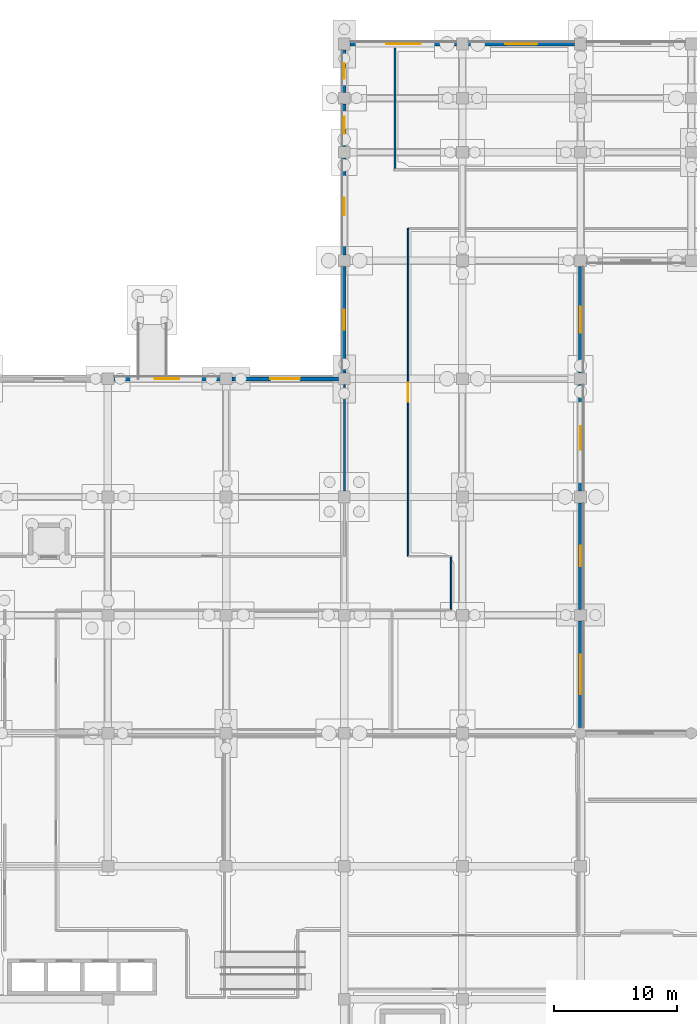
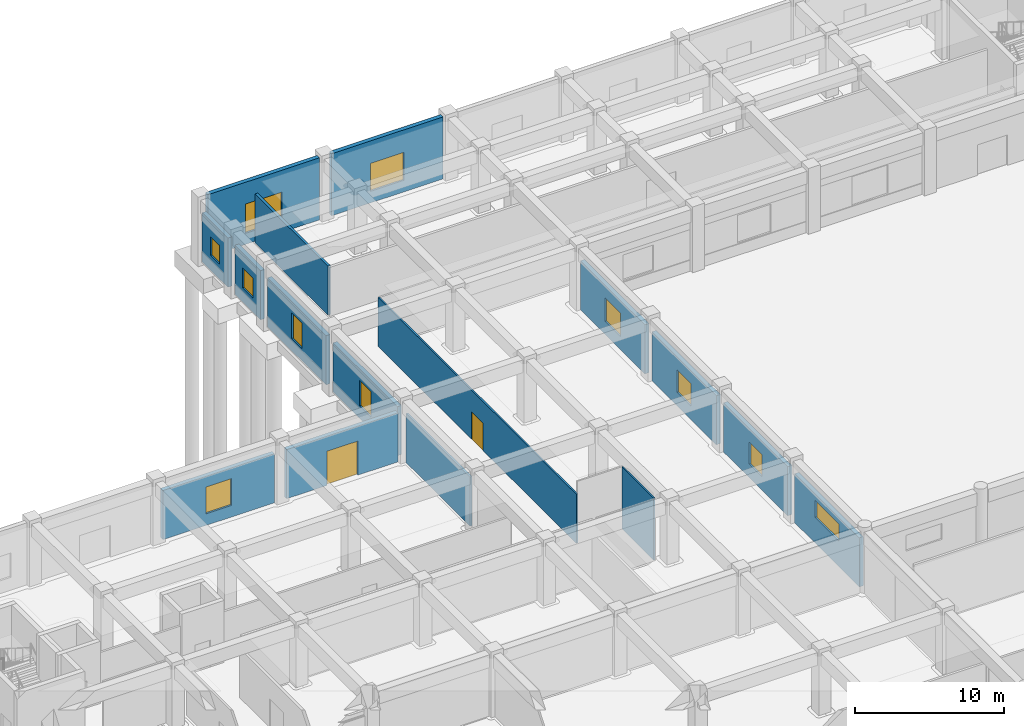
# One storey, part 35 of 74: 16 walls, 11 windows, 2 doors, 13 openings.
"""IFC4 building model written with IfcOpenShell, lengths in metres."""

from ifc_helpers import new_model, si_unit, direction, frame, frame_2d, origin, place, context, subcontext, project, spatial, rectangle, extrude, material, layer, layer_set, type_object, element, fill, save


model = new_model("IFC4")

# Units and contexts
model_context = context("Model", 3, precision=1e-05, world=origin(), true_north=direction((0.0, 1.0)))
body_context = subcontext(model_context, "Body", "Model", "MODEL_VIEW")
ifc_project = project(units=[si_unit("LENGTHUNIT", "METRE"), si_unit("AREAUNIT", "SQUARE_METRE"), si_unit("VOLUMEUNIT", "CUBIC_METRE"), si_unit("PLANEANGLEUNIT", "RADIAN"), si_unit("MASSUNIT", "GRAM", prefix="KILO")], contexts=[model_context])

# Site, building, storey
site_placement = place(None, origin())
site = spatial("IfcSite", under=ifc_project, at=site_placement, CompositionType="ELEMENT")
building_placement = place(site_placement, origin())
building = spatial("IfcBuilding", under=site, at=building_placement, Name="Cendralis Terraced Arcade", CompositionType="ELEMENT")
storey_placement = place(building_placement, origin())
storey = spatial("IfcBuildingStorey", under=building, at=storey_placement, Name="L00", CompositionType="ELEMENT", Elevation=0.0)

# Wall, opening, window
ifc_material_1 = material(Name="Precast concrete f'c 40 MPa", Category="concrete")
ifc_layer_1 = layer(ifc_material_1, 0.320068359375, Name="WL-EXT-GRC-320")
ifc_layer_set_1 = layer_set([ifc_layer_1], Name="Precast concrete f'c 40 MPa")
wall_type_1 = type_object("IfcWallType", Name="WL-EXT-GRC-320", PredefinedType="SOLIDWALL", material=ifc_layer_set_1)
wall_1_placement = place(storey_placement, frame((29.27294921875, 88.800048828125, 0.0), z_axis=(0.0, 0.0, 1.0), x_axis=(1.0, 0.0, 0.0)))
wall_1 = element("IfcWall", 1, at=wall_1_placement, inside=storey, type_object=wall_type_1, Name="Exterior Architectural Wall EW-L00-0029", PredefinedType="SOLIDWALL", context=body_context, shape_type="SweptSolid", body=[
    extrude(rectangle(XDim=8.654052734375, YDim=0.320068359375, at=frame_2d((4.3271484375, 0.0))), origin(), (0.0, 0.0, 1.0), 4.030029296875),
])
opening_1_placement = place(wall_1_placement, frame((3.326904296875, 0.0, 0.949951171875)))
opening_1 = element("IfcOpeningElement", 2, at=opening_1_placement, cuts=wall_1, Name="Opening W-03", PredefinedType="OPENING", context=body_context, shape_type="SweptSolid", body=[
    extrude(rectangle(XDim=2.0, YDim=2.199951171875, at=frame_2d((1.0, 1.10009765625))), frame((0.0, 0.171875, 0.0), z_axis=(0.0, -1.0, 0.0), x_axis=(1.0, 0.0, 0.0)), (0.0, 0.0, 1.0), 0.343994140625),
])
ifc_material_2 = material(Name="Tempered solar control laminated glass", Category="glass")
window_type_1 = type_object("IfcWindowType", Name="WN-F1-2000x2200", PartitioningType="SINGLE_PANEL", PredefinedType="WINDOW", material=ifc_material_2)
window_1_placement = place(opening_1_placement, origin())
window_1 = element("IfcWindow", 3, at=window_1_placement, inside=storey, type_object=window_type_1, Name="Exterior Solar-Control Window WN-L00-0013", OverallHeight=2.199951171875, OverallWidth=2.0, PartitioningType="SINGLE_PANEL", PredefinedType="WINDOW", context=body_context, shape_type="SweptSolid", body=[
    extrude(rectangle(XDim=2.0, YDim=2.199951171875, at=frame_2d((1.0, 1.10009765625))), frame((0.0, 0.030029296875, 0.0), z_axis=(0.0, -1.0, 0.0), x_axis=(1.0, 0.0, 0.0)), (0.0, 0.0, 1.0), 0.06005859375),
])
fill(opening_1, window_1)

# Wall, opening, door
wall_2_placement = place(storey_placement, frame((38.875, 88.800048828125, 0.0), z_axis=(0.0, 0.0, 1.0), x_axis=(1.0, 0.0, 0.0)))
wall_2 = element("IfcWall", 4, at=wall_2_placement, inside=storey, type_object=wall_type_1, Name="Exterior Architectural Wall EW-L00-0030", PredefinedType="SOLIDWALL", context=body_context, shape_type="SweptSolid", body=[
    extrude(rectangle(XDim=8.64990234375, YDim=0.320068359375, at=frame_2d((4.324951171875, 0.0))), origin(), (0.0, 0.0, 1.0), 4.030029296875),
])
opening_2_placement = place(wall_2_placement, frame((3.125, 0.0, 0.0)))
opening_2 = element("IfcOpeningElement", 5, at=opening_2_placement, cuts=wall_2, Name="Opening EX-18", PredefinedType="OPENING", context=body_context, shape_type="SweptSolid", body=[
    extrude(rectangle(XDim=2.39990234375, YDim=2.800048828125, at=frame_2d((1.199951171875, 1.39990234375))), frame((0.0, 0.171875, 0.0), z_axis=(0.0, -1.0, 0.0), x_axis=(1.0, 0.0, 0.0)), (0.0, 0.0, 1.0), 0.343994140625),
])
ifc_material_3 = material(Name="Powder-coated thermally broken aluminium and glass", Category="aluminium")
door_type_1 = type_object("IfcDoorType", Name="ED-PORTAL-2400x2800", OperationType="DOUBLE_DOOR_SINGLE_SWING", PredefinedType="DOOR", material=ifc_material_3)
door_1_placement = place(opening_2_placement, origin())
door_1 = element("IfcDoor", 6, at=door_1_placement, inside=storey, type_object=door_type_1, Name="Northwest Forecourt East Entrance EX-18", OperationType="DOUBLE_DOOR_SINGLE_SWING", OverallHeight=2.800048828125, OverallWidth=2.39990234375, PredefinedType="DOOR", context=body_context, shape_type="SweptSolid", body=[
    extrude(rectangle(XDim=2.39990234375, YDim=2.800048828125, at=frame_2d((1.199951171875, 1.39990234375))), frame((0.0, 0.02490234375, 0.0), z_axis=(0.0, -1.0, 0.0), x_axis=(1.0, 0.0, 0.0)), (0.0, 0.0, 1.0), 0.050048828125),
])
fill(opening_2, door_1)

# Wall, opening, window
wall_3_placement = place(storey_placement, frame((48.0, 89.27294921875, 0.0), z_axis=(0.0, 0.0, 1.0), x_axis=(0.0, 1.0, 0.0)))
wall_3 = element("IfcWall", 7, at=wall_3_placement, inside=storey, type_object=wall_type_1, Name="Exterior Architectural Wall EW-L00-0031", PredefinedType="SOLIDWALL", context=body_context, shape_type="SweptSolid", body=[
    extrude(rectangle(XDim=8.654052734375, YDim=0.320068359375, at=frame_2d((4.3271484375, 0.0))), origin(), (0.0, 0.0, 1.0), 4.030029296875),
])
opening_3_placement = place(wall_3_placement, frame((3.527099609375, 0.0, 1.0)))
opening_3 = element("IfcOpeningElement", 8, at=opening_3_placement, cuts=wall_3, Name="Opening W-05", PredefinedType="OPENING", context=body_context, shape_type="SweptSolid", body=[
    extrude(rectangle(XDim=1.60009765625, YDim=2.10009765625, at=frame_2d((0.800048828125, 1.050048828125))), frame((0.0, 0.171875, 0.0), z_axis=(0.0, -1.0, 0.0), x_axis=(1.0, 0.0, 0.0)), (0.0, 0.0, 1.0), 0.343994140625),
])
window_type_2 = type_object("IfcWindowType", Name="WN-F1-1600x2100", PartitioningType="SINGLE_PANEL", PredefinedType="WINDOW", material=ifc_material_2)
window_2_placement = place(opening_3_placement, origin())
window_2 = element("IfcWindow", 9, at=window_2_placement, inside=storey, type_object=window_type_2, Name="Exterior Solar-Control Window WN-L00-0014", OverallHeight=2.10009765625, OverallWidth=1.60009765625, PartitioningType="SINGLE_PANEL", PredefinedType="WINDOW", context=body_context, shape_type="SweptSolid", body=[
    extrude(rectangle(XDim=1.60009765625, YDim=2.10009765625, at=frame_2d((0.800048828125, 1.050048828125))), frame((0.0, 0.030029296875, 0.0), z_axis=(0.0, -1.0, 0.0), x_axis=(1.0, 0.0, 0.0)), (0.0, 0.0, 1.0), 0.06005859375),
])
fill(opening_3, window_2)

wall_4_placement = place(storey_placement, frame((48.0, 98.873046875, 0.0), z_axis=(0.0, 0.0, 1.0), x_axis=(0.0, 1.0, 0.0)))
wall_4 = element("IfcWall", 10, at=wall_4_placement, inside=storey, type_object=wall_type_1, Name="Exterior Architectural Wall EW-L00-0032", PredefinedType="SOLIDWALL", context=body_context, shape_type="SweptSolid", body=[
    extrude(rectangle(XDim=7.85400390625, YDim=0.320068359375, at=frame_2d((3.927001953125, 0.0))), origin(), (0.0, 0.0, 1.0), 4.030029296875),
])
opening_4_placement = place(wall_4_placement, frame((3.22705078125, 0.0, 1.0)))
opening_4 = element("IfcOpeningElement", 11, at=opening_4_placement, cuts=wall_4, Name="Opening W-06", PredefinedType="OPENING", context=body_context, shape_type="SweptSolid", body=[
    extrude(rectangle(XDim=1.39990234375, YDim=2.10009765625, at=frame_2d((0.699951171875, 1.050048828125))), frame((0.0, 0.171875, 0.0), z_axis=(0.0, -1.0, 0.0), x_axis=(1.0, 0.0, 0.0)), (0.0, 0.0, 1.0), 0.343994140625),
])
window_type_3 = type_object("IfcWindowType", Name="WN-F1-1400x2100", PartitioningType="SINGLE_PANEL", PredefinedType="WINDOW", material=ifc_material_2)
window_3_placement = place(opening_4_placement, origin())
window_3 = element("IfcWindow", 12, at=window_3_placement, inside=storey, type_object=window_type_3, Name="Exterior Solar-Control Window WN-L00-0015", OverallHeight=2.10009765625, OverallWidth=1.39990234375, PartitioningType="SINGLE_PANEL", PredefinedType="WINDOW", context=body_context, shape_type="SweptSolid", body=[
    extrude(rectangle(XDim=1.39990234375, YDim=2.10009765625, at=frame_2d((0.699951171875, 1.050048828125))), frame((0.0, 0.030029296875, 0.0), z_axis=(0.0, -1.0, 0.0), x_axis=(1.0, 0.0, 0.0)), (0.0, 0.0, 1.0), 0.06005859375),
])
fill(opening_4, window_3)

wall_5_placement = place(storey_placement, frame((48.0, 107.673095703125, 0.0), z_axis=(0.0, 0.0, 1.0), x_axis=(0.0, 1.0, 0.0)))
wall_5 = element("IfcWall", 13, at=wall_5_placement, inside=storey, type_object=wall_type_1, Name="Exterior Architectural Wall EW-L00-0033", PredefinedType="SOLIDWALL", context=body_context, shape_type="SweptSolid", body=[
    extrude(rectangle(XDim=3.453857421875, YDim=0.320068359375, at=frame_2d((1.72705078125, 0.0))), origin(), (0.0, 0.0, 1.0), 4.030029296875),
])
opening_5_placement = place(wall_5_placement, frame((1.027099609375, 0.0, 1.14990234375)))
opening_5 = element("IfcOpeningElement", 14, at=opening_5_placement, cuts=wall_5, Name="Opening W-29", PredefinedType="OPENING", context=body_context, shape_type="SweptSolid", body=[
    extrude(rectangle(XDim=1.39990234375, YDim=1.64990234375, at=frame_2d((0.699951171875, 0.824951171875))), frame((0.0, 0.171875, 0.0), z_axis=(0.0, -1.0, 0.0), x_axis=(1.0, 0.0, 0.0)), (0.0, 0.0, 1.0), 0.343994140625),
])
window_type_4 = type_object("IfcWindowType", Name="WN-F3-1400x1650", PartitioningType="SINGLE_PANEL", PredefinedType="WINDOW", material=ifc_material_2)
window_4_placement = place(opening_5_placement, origin())
window_4 = element("IfcWindow", 15, at=window_4_placement, inside=storey, type_object=window_type_4, Name="Exterior Solar-Control Window WN-L00-0016", OverallHeight=1.64990234375, OverallWidth=1.39990234375, PartitioningType="SINGLE_PANEL", PredefinedType="WINDOW", context=body_context, shape_type="SweptSolid", body=[
    extrude(rectangle(XDim=1.39990234375, YDim=1.64990234375, at=frame_2d((0.699951171875, 0.824951171875))), frame((0.0, 0.030029296875, 0.0), z_axis=(0.0, -1.0, 0.0), x_axis=(1.0, 0.0, 0.0)), (0.0, 0.0, 1.0), 0.06005859375),
])
fill(opening_5, window_4)

wall_6_placement = place(storey_placement, frame((48.0, 112.072998046875, 0.0), z_axis=(0.0, 0.0, 1.0), x_axis=(0.0, 1.0, 0.0)))
wall_6 = element("IfcWall", 16, at=wall_6_placement, inside=storey, type_object=wall_type_1, Name="Exterior Architectural Wall EW-L00-0034", PredefinedType="SOLIDWALL", context=body_context, shape_type="SweptSolid", body=[
    extrude(rectangle(XDim=3.4541015625, YDim=0.320068359375, at=frame_2d((1.72705078125, 0.0))), origin(), (0.0, 0.0, 1.0), 4.030029296875),
])
opening_6_placement = place(wall_6_placement, frame((1.10205078125, 0.0, 1.199951171875)))
opening_6 = element("IfcOpeningElement", 17, at=opening_6_placement, cuts=wall_6, Name="Opening W-30", PredefinedType="OPENING", context=body_context, shape_type="SweptSolid", body=[
    extrude(rectangle(XDim=1.25, YDim=1.550048828125, at=frame_2d((0.625, 0.77490234375))), frame((0.0, 0.171875, 0.0), z_axis=(0.0, -1.0, 0.0), x_axis=(1.0, 0.0, 0.0)), (0.0, 0.0, 1.0), 0.343994140625),
])
window_type_5 = type_object("IfcWindowType", Name="WN-F3-1250x1550", PartitioningType="SINGLE_PANEL", PredefinedType="WINDOW", material=ifc_material_2)
window_5_placement = place(opening_6_placement, origin())
window_5 = element("IfcWindow", 18, at=window_5_placement, inside=storey, type_object=window_type_5, Name="Exterior Solar-Control Window WN-L00-0017", OverallHeight=1.550048828125, OverallWidth=1.25, PartitioningType="SINGLE_PANEL", PredefinedType="WINDOW", context=body_context, shape_type="SweptSolid", body=[
    extrude(rectangle(XDim=1.25, YDim=1.550048828125, at=frame_2d((0.625, 0.77490234375))), frame((0.0, 0.030029296875, 0.0), z_axis=(0.0, -1.0, 0.0), x_axis=(1.0, 0.0, 0.0)), (0.0, 0.0, 1.0), 0.06005859375),
])
fill(opening_6, window_5)

wall_7_placement = place(storey_placement, frame((48.472900390625, 116.0, 0.0), z_axis=(0.0, 0.0, 1.0), x_axis=(1.0, 0.0, 0.0)))
wall_7 = element("IfcWall", 19, at=wall_7_placement, inside=storey, type_object=wall_type_1, Name="Exterior Architectural Wall EW-L00-0035", PredefinedType="SOLIDWALL", context=body_context, shape_type="SweptSolid", body=[
    extrude(rectangle(XDim=8.654052734375, YDim=0.320068359375, at=frame_2d((4.3271484375, 0.0))), origin(), (0.0, 0.0, 1.0), 5.090087890625),
])
opening_7_placement = place(wall_7_placement, frame((2.927001953125, 0.0, 0.89990234375)))
opening_7 = element("IfcOpeningElement", 20, at=opening_7_placement, cuts=wall_7, Name="Opening W-09", PredefinedType="OPENING", context=body_context, shape_type="SweptSolid", body=[
    extrude(rectangle(XDim=2.800048828125, YDim=2.39990234375, at=frame_2d((1.39990234375, 1.199951171875))), frame((0.0, 0.171875, 0.0), z_axis=(0.0, -1.0, 0.0), x_axis=(1.0, 0.0, 0.0)), (0.0, 0.0, 1.0), 0.343994140625),
])
window_type_6 = type_object("IfcWindowType", Name="WN-F2-2800x2400", PartitioningType="SINGLE_PANEL", PredefinedType="WINDOW", material=ifc_material_2)
window_6_placement = place(opening_7_placement, origin())
window_6 = element("IfcWindow", 21, at=window_6_placement, inside=storey, type_object=window_type_6, Name="Exterior Solar-Control Window WN-L00-0018", OverallHeight=2.39990234375, OverallWidth=2.800048828125, PartitioningType="SINGLE_PANEL", PredefinedType="WINDOW", context=body_context, shape_type="SweptSolid", body=[
    extrude(rectangle(XDim=2.800048828125, YDim=2.39990234375, at=frame_2d((1.39990234375, 1.199951171875))), frame((0.0, 0.030029296875, 0.0), z_axis=(0.0, -1.0, 0.0), x_axis=(1.0, 0.0, 0.0)), (0.0, 0.0, 1.0), 0.06005859375),
])
fill(opening_7, window_6)

wall_8_placement = place(storey_placement, frame((58.072998046875, 116.0, 0.0), z_axis=(0.0, 0.0, 1.0), x_axis=(1.0, 0.0, 0.0)))
wall_8 = element("IfcWall", 22, at=wall_8_placement, inside=storey, type_object=wall_type_1, Name="Exterior Architectural Wall EW-L00-0036", PredefinedType="SOLIDWALL", context=body_context, shape_type="SweptSolid", body=[
    extrude(rectangle(XDim=8.654052734375, YDim=0.320068359375, at=frame_2d((4.3271484375, 0.0))), origin(), (0.0, 0.0, 1.0), 5.090087890625),
])
opening_8_placement = place(wall_8_placement, frame((3.027099609375, 0.0, 0.949951171875)))
opening_8 = element("IfcOpeningElement", 23, at=opening_8_placement, cuts=wall_8, Name="Opening W-10", PredefinedType="OPENING", context=body_context, shape_type="SweptSolid", body=[
    extrude(rectangle(XDim=2.60009765625, YDim=2.300048828125, at=frame_2d((1.300048828125, 1.14990234375))), frame((0.0, 0.171875, 0.0), z_axis=(0.0, -1.0, 0.0), x_axis=(1.0, 0.0, 0.0)), (0.0, 0.0, 1.0), 0.343994140625),
])
window_type_7 = type_object("IfcWindowType", Name="WN-F2-2600x2300", PartitioningType="SINGLE_PANEL", PredefinedType="WINDOW", material=ifc_material_2)
window_7_placement = place(opening_8_placement, origin())
window_7 = element("IfcWindow", 24, at=window_7_placement, inside=storey, type_object=window_type_7, Name="Exterior Solar-Control Window WN-L00-0019", OverallHeight=2.300048828125, OverallWidth=2.60009765625, PartitioningType="SINGLE_PANEL", PredefinedType="WINDOW", context=body_context, shape_type="SweptSolid", body=[
    extrude(rectangle(XDim=2.60009765625, YDim=2.300048828125, at=frame_2d((1.300048828125, 1.14990234375))), frame((0.0, 0.030029296875, 0.0), z_axis=(0.0, -1.0, 0.0), x_axis=(1.0, 0.0, 0.0)), (0.0, 0.0, 1.0), 0.06005859375),
])
fill(opening_8, window_7)

wall_9_placement = place(storey_placement, frame((67.199951171875, 97.927001953125, 0.0), z_axis=(0.0, 0.0, 1.0), x_axis=(0.0, -1.0, 0.0)))
wall_9 = element("IfcWall", 25, at=wall_9_placement, inside=storey, type_object=wall_type_1, Name="Exterior Architectural Wall EW-L00-0068", PredefinedType="SOLIDWALL", context=body_context, shape_type="SweptSolid", body=[
    extrude(rectangle(XDim=8.654052734375, YDim=0.320068359375, at=frame_2d((4.3271484375, 0.0))), origin(), (0.0, 0.0, 1.0), 4.030029296875),
])
opening_9_placement = place(wall_9_placement, frame((3.277099609375, 0.0, 1.050048828125)))
opening_9 = element("IfcOpeningElement", 26, at=opening_9_placement, cuts=wall_9, Name="Opening W-12", PredefinedType="OPENING", context=body_context, shape_type="SweptSolid", body=[
    extrude(rectangle(XDim=2.10009765625, YDim=1.949951171875, at=frame_2d((1.050048828125, 0.97509765625))), frame((0.0, 0.171875, 0.0), z_axis=(0.0, -1.0, 0.0), x_axis=(1.0, 0.0, 0.0)), (0.0, 0.0, 1.0), 0.343994140625),
])
window_type_8 = type_object("IfcWindowType", Name="WN-F2-2100x1950", PartitioningType="SINGLE_PANEL", PredefinedType="WINDOW", material=ifc_material_2)
window_8_placement = place(opening_9_placement, origin())
window_8 = element("IfcWindow", 27, at=window_8_placement, inside=storey, type_object=window_type_8, Name="Exterior Solar-Control Window WN-L00-0028", OverallHeight=1.949951171875, OverallWidth=2.10009765625, PartitioningType="SINGLE_PANEL", PredefinedType="WINDOW", context=body_context, shape_type="SweptSolid", body=[
    extrude(rectangle(XDim=2.10009765625, YDim=1.949951171875, at=frame_2d((1.050048828125, 0.97509765625))), frame((0.0, 0.030029296875, 0.0), z_axis=(0.0, -1.0, 0.0), x_axis=(1.0, 0.0, 0.0)), (0.0, 0.0, 1.0), 0.06005859375),
])
fill(opening_9, window_8)

wall_10_placement = place(storey_placement, frame((67.199951171875, 88.326904296875, 0.0), z_axis=(0.0, 0.0, 1.0), x_axis=(0.0, -1.0, 0.0)))
wall_10 = element("IfcWall", 28, at=wall_10_placement, inside=storey, type_object=wall_type_1, Name="Exterior Architectural Wall EW-L00-0069", PredefinedType="SOLIDWALL", context=body_context, shape_type="SweptSolid", body=[
    extrude(rectangle(XDim=8.65380859375, YDim=0.320068359375, at=frame_2d((4.326904296875, 0.0))), origin(), (0.0, 0.0, 1.0), 4.030029296875),
])
opening_10_placement = place(wall_10_placement, frame((3.376953125, 0.0, 1.10009765625)))
opening_10 = element("IfcOpeningElement", 29, at=opening_10_placement, cuts=wall_10, Name="Opening W-13", PredefinedType="OPENING", context=body_context, shape_type="SweptSolid", body=[
    extrude(rectangle(XDim=1.89990234375, YDim=1.85009765625, at=frame_2d((0.949951171875, 0.925048828125))), frame((0.0, 0.171875, 0.0), z_axis=(0.0, -1.0, 0.0), x_axis=(1.0, 0.0, 0.0)), (0.0, 0.0, 1.0), 0.343994140625),
])
window_type_9 = type_object("IfcWindowType", Name="WN-F2-1900x1850", PartitioningType="SINGLE_PANEL", PredefinedType="WINDOW", material=ifc_material_2)
window_9_placement = place(opening_10_placement, origin())
window_9 = element("IfcWindow", 30, at=window_9_placement, inside=storey, type_object=window_type_9, Name="Exterior Solar-Control Window WN-L00-0029", OverallHeight=1.85009765625, OverallWidth=1.89990234375, PartitioningType="SINGLE_PANEL", PredefinedType="WINDOW", context=body_context, shape_type="SweptSolid", body=[
    extrude(rectangle(XDim=1.89990234375, YDim=1.85009765625, at=frame_2d((0.949951171875, 0.925048828125))), frame((0.0, 0.030029296875, 0.0), z_axis=(0.0, -1.0, 0.0), x_axis=(1.0, 0.0, 0.0)), (0.0, 0.0, 1.0), 0.06005859375),
])
fill(opening_10, window_9)

wall_11_placement = place(storey_placement, frame((67.199951171875, 78.72705078125, 0.0), z_axis=(0.0, 0.0, 1.0), x_axis=(0.0, -1.0, 0.0)))
wall_11 = element("IfcWall", 31, at=wall_11_placement, inside=storey, type_object=wall_type_1, Name="Exterior Architectural Wall EW-L00-0070", PredefinedType="SOLIDWALL", context=body_context, shape_type="SweptSolid", body=[
    extrude(rectangle(XDim=8.654052734375, YDim=0.320068359375, at=frame_2d((4.3271484375, 0.0))), origin(), (0.0, 0.0, 1.0), 4.030029296875),
])
opening_11_placement = place(wall_11_placement, frame((3.47705078125, 0.0, 1.10009765625)))
opening_11 = element("IfcOpeningElement", 32, at=opening_11_placement, cuts=wall_11, Name="Opening W-14", PredefinedType="OPENING", context=body_context, shape_type="SweptSolid", body=[
    extrude(rectangle(XDim=1.699951171875, YDim=1.800048828125, at=frame_2d((0.85009765625, 0.89990234375))), frame((0.0, 0.171875, 0.0), z_axis=(0.0, -1.0, 0.0), x_axis=(1.0, 0.0, 0.0)), (0.0, 0.0, 1.0), 0.343994140625),
])
window_type_10 = type_object("IfcWindowType", Name="WN-F2-1700x1800", PartitioningType="SINGLE_PANEL", PredefinedType="WINDOW", material=ifc_material_2)
window_10_placement = place(opening_11_placement, origin())
window_10 = element("IfcWindow", 33, at=window_10_placement, inside=storey, type_object=window_type_10, Name="Exterior Solar-Control Window WN-L00-0030", OverallHeight=1.800048828125, OverallWidth=1.699951171875, PartitioningType="SINGLE_PANEL", PredefinedType="WINDOW", context=body_context, shape_type="SweptSolid", body=[
    extrude(rectangle(XDim=1.699951171875, YDim=1.800048828125, at=frame_2d((0.85009765625, 0.89990234375))), frame((0.0, 0.030029296875, 0.0), z_axis=(0.0, -1.0, 0.0), x_axis=(1.0, 0.0, 0.0)), (0.0, 0.0, 1.0), 0.06005859375),
])
fill(opening_11, window_10)

wall_12_placement = place(storey_placement, frame((67.199951171875, 69.126953125, 0.0), z_axis=(0.0, 0.0, 1.0), x_axis=(0.0, -1.0, 0.0)))
wall_12 = element("IfcWall", 34, at=wall_12_placement, inside=storey, type_object=wall_type_1, Name="Exterior Architectural Wall EW-L00-0071", PredefinedType="SOLIDWALL", context=body_context, shape_type="SweptSolid", body=[
    extrude(rectangle(XDim=8.678955078125, YDim=0.320068359375, at=frame_2d((4.33935546875, 0.0))), origin(), (0.0, 0.0, 1.0), 4.030029296875),
])
opening_12_placement = place(wall_12_placement, frame((2.739501953125, 0.0, 2.10009765625)))
opening_12 = element("IfcOpeningElement", 35, at=opening_12_placement, cuts=wall_12, Name="Opening W-15", PredefinedType="OPENING", context=body_context, shape_type="SweptSolid", body=[
    extrude(rectangle(XDim=3.199951171875, YDim=1.39990234375, at=frame_2d((1.60009765625, 0.699951171875))), frame((0.0, 0.171875, 0.0), z_axis=(0.0, -1.0, 0.0), x_axis=(1.0, 0.0, 0.0)), (0.0, 0.0, 1.0), 0.343994140625),
])
window_type_11 = type_object("IfcWindowType", Name="WN-CL-3200x1400", PartitioningType="SINGLE_PANEL", PredefinedType="WINDOW", material=ifc_material_2)
window_11_placement = place(opening_12_placement, origin())
window_11 = element("IfcWindow", 36, at=window_11_placement, inside=storey, type_object=window_type_11, Name="Exterior Solar-Control Window WN-L00-0031", OverallHeight=1.39990234375, OverallWidth=3.199951171875, PartitioningType="SINGLE_PANEL", PredefinedType="WINDOW", context=body_context, shape_type="SweptSolid", body=[
    extrude(rectangle(XDim=3.199951171875, YDim=1.39990234375, at=frame_2d((1.60009765625, 0.699951171875))), frame((0.0, 0.030029296875, 0.0), z_axis=(0.0, -1.0, 0.0), x_axis=(1.0, 0.0, 0.0)), (0.0, 0.0, 1.0), 0.06005859375),
])
fill(opening_12, window_11)

# Wall
ifc_material_4 = material(Name="Gypsum plasterboard acoustic partition", Category="concrete")
ifc_layer_2 = layer(ifc_material_4, 0.10791015625, Name="WL-PART-108")
ifc_layer_set_2 = layer_set([ifc_layer_2], Name="Gypsum plasterboard acoustic partition")
wall_type_2 = type_object("IfcWallType", Name="WL-PART-108", PredefinedType="PARTITIONING", material=ifc_layer_set_2)
wall_13_placement = place(storey_placement, frame((56.679931640625, 70.077392578125, 0.0), z_axis=(0.0, 0.0, 1.0), x_axis=(0.0, 1.0, 0.0)))
element("IfcWall", 37, at=wall_13_placement, inside=storey, type_object=wall_type_2, Name="Interior Partition Wall IW-L00-0268", PredefinedType="PARTITIONING", context=body_context, shape_type="SweptSolid", body=[
    extrude(rectangle(XDim=4.24658203125, YDim=0.10791015625, at=frame_2d((2.123291015625, 0.0))), origin(), (0.0, 0.0, 1.0), 5.090087890625),
])

# Wall, opening, door
ifc_layer_3 = layer(ifc_material_4, 0.1220703125, Name="WL-PART-122")
ifc_layer_set_3 = layer_set([ifc_layer_3], Name="Gypsum plasterboard acoustic partition")
wall_type_3 = type_object("IfcWallType", Name="WL-PART-122", PredefinedType="PARTITIONING", material=ifc_layer_set_3)
wall_14_placement = place(storey_placement, frame((53.179931640625, 74.3798828125, 0.0), z_axis=(0.0, 0.0, 1.0), x_axis=(0.0, 1.0, 0.0)))
wall_14 = element("IfcWall", 38, at=wall_14_placement, inside=storey, type_object=wall_type_3, Name="Interior Partition Wall IW-L00-0264", PredefinedType="PARTITIONING", context=body_context, shape_type="SweptSolid", body=[
    extrude(rectangle(XDim=26.64013671875, YDim=0.1220703125, at=frame_2d((13.320068359375, 0.0))), origin(), (0.0, 0.0, 1.0), 4.030029296875),
])
opening_13_placement = place(wall_14_placement, frame((12.544921875, 0.0, 0.0)))
opening_13 = element("IfcOpeningElement", 39, at=opening_13_placement, cuts=wall_14, Name="Opening D-L00-077", PredefinedType="OPENING", context=body_context, shape_type="SweptSolid", body=[
    extrude(rectangle(XDim=1.550048828125, YDim=2.25, at=frame_2d((0.77490234375, 1.125))), frame((0.0, 0.072998046875, 0.0), z_axis=(0.0, -1.0, 0.0), x_axis=(1.0, 0.0, 0.0)), (0.0, 0.0, 1.0), 0.14599609375),
])
ifc_material_5 = material(Name="Solid core Andean oak veneer door leaf", Category="aluminium")
door_type_2 = type_object("IfcDoorType", Name="ID-DEP-1550x2250", OperationType="DOUBLE_DOOR_SINGLE_SWING", PredefinedType="DOOR", material=ifc_material_5)
door_2_placement = place(opening_13_placement, origin())
door_2 = element("IfcDoor", 40, at=door_2_placement, inside=storey, type_object=door_type_2, Name="Bookshop and Stationery Salon - Court Gallery Door D-L00-077", OperationType="DOUBLE_DOOR_SINGLE_SWING", OverallHeight=2.25, OverallWidth=1.550048828125, PredefinedType="DOOR", context=body_context, shape_type="SweptSolid", body=[
    extrude(rectangle(XDim=1.550048828125, YDim=2.25, at=frame_2d((0.77490234375, 1.125))), frame((0.0, 0.02490234375, 0.0), z_axis=(0.0, -1.0, 0.0), x_axis=(1.0, 0.0, 0.0)), (0.0, 0.0, 1.0), 0.050048828125),
])
fill(opening_13, door_2)

# Walls
ifc_layer_4 = layer(ifc_material_4, 0.154052734375, Name="WL-PART-154")
ifc_layer_set_4 = layer_set([ifc_layer_4], Name="Gypsum plasterboard acoustic partition")
wall_type_4 = type_object("IfcWallType", Name="WL-PART-154", PredefinedType="PARTITIONING", material=ifc_layer_set_4)
wall_15_placement = place(storey_placement, frame((48.01953125, 88.304931640625, 0.0), z_axis=(0.0, 0.0, 1.0), x_axis=(2.8355924e-05, -0.999999999598, 0.0)))
element("IfcWall", 41, at=wall_15_placement, inside=storey, type_object=wall_type_4, Name="Interior Partition Wall IW-L00-0258", PredefinedType="PARTITIONING", context=body_context, shape_type="SweptSolid", body=[
    extrude(rectangle(XDim=8.60986328125, YDim=0.154052734375, at=frame_2d((4.304931640625, 0.0))), origin(), (0.0, 0.0, 1.0), 4.030029296875),
])
ifc_layer_5 = layer(ifc_material_4, 0.18994140625, Name="WL-PART-190")
ifc_layer_set_5 = layer_set([ifc_layer_5], Name="Gypsum plasterboard acoustic partition")
wall_type_5 = type_object("IfcWallType", Name="WL-PART-190", PredefinedType="PARTITIONING", material=ifc_layer_set_5)
wall_16_placement = place(storey_placement, frame((52.1201171875, 105.87744140625, 0.0), z_axis=(0.0, 0.0, 1.0), x_axis=(0.0, 1.0, 0.0)))
element("IfcWall", 42, at=wall_16_placement, inside=storey, type_object=wall_type_5, Name="Interior Partition Wall IW-L00-0273", PredefinedType="PARTITIONING", context=body_context, shape_type="SweptSolid", body=[
    extrude(rectangle(XDim=9.782470703125, YDim=0.18994140625, at=frame_2d((4.89111328125, 0.0))), origin(), (0.0, 0.0, 1.0), 4.030029296875),
])

save(model, "model.ifc")
